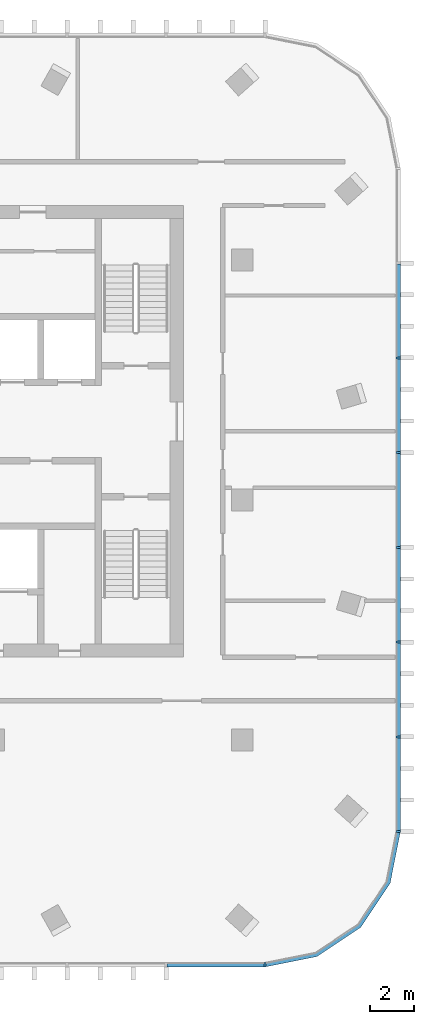
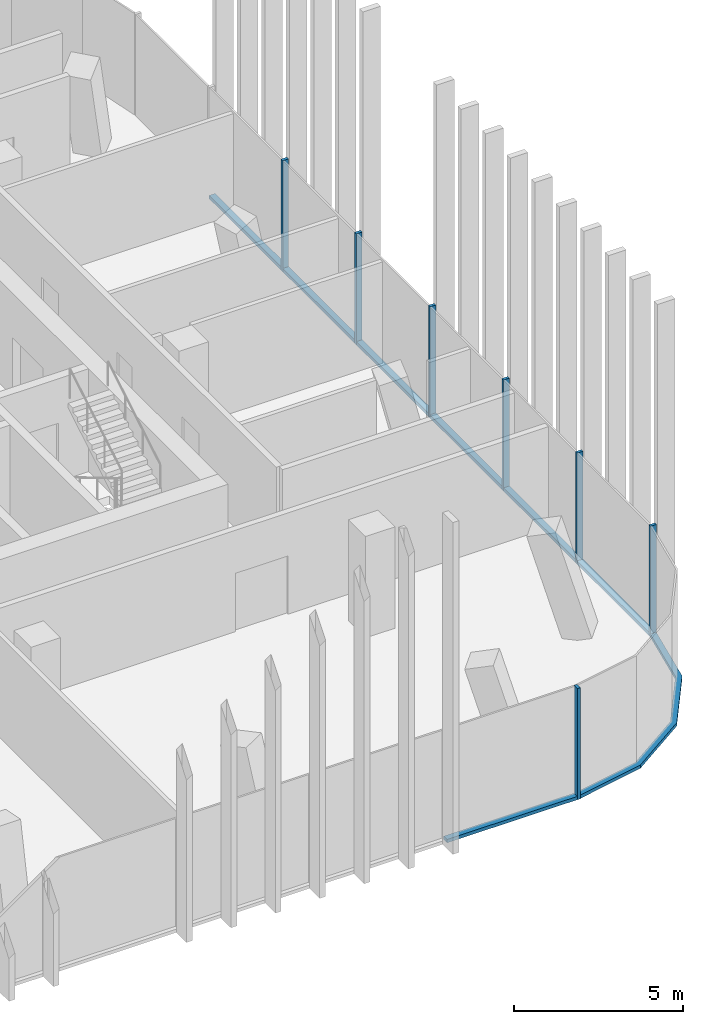
# One storey, part 3 of 13: 15 members, 3 elements without a shape of their own.
"""IFC4 building model written with IfcOpenShell, lengths in metres."""

from ifc_helpers import new_model, si_unit, direction, frame, origin, origin_2d, place, context, subcontext, project, spatial, polyline, rectangle, outline, extrude, material, material_profile, profile_set, type_object, element, aggregate, save


model = new_model("IFC4")

# Units and contexts
model_context = context("Model", 3, precision=1e-05, world=origin(), true_north=direction((0.0, 1.0)))
body_context = subcontext(model_context, "Body", "Model", "MODEL_VIEW")
ifc_project = project(units=[si_unit("LENGTHUNIT", "METRE"), si_unit("AREAUNIT", "SQUARE_METRE"), si_unit("VOLUMEUNIT", "CUBIC_METRE"), si_unit("PLANEANGLEUNIT", "RADIAN"), si_unit("MASSUNIT", "GRAM", prefix="KILO")], contexts=[model_context])

# Site, building, storey
site_placement = place(None, origin())
site = spatial("IfcSite", under=ifc_project, at=site_placement, CompositionType="ELEMENT")
building_placement = place(site_placement, origin())
building = spatial("IfcBuilding", under=site, at=building_placement, Name="Mopane Tessera Tower", CompositionType="ELEMENT")
storey_placement = place(building_placement, frame((0.0, 0.0, 345.39990234375)))
storey = spatial("IfcBuildingStorey", under=building, at=storey_placement, Name="L75", CompositionType="ELEMENT", Elevation=345.39990234375)

# Curtain wall, member
ifc_material_1 = material(Name="Aluminium frame", Category="aluminium")
curtain_wall_type = type_object("IfcCurtainWallType", Name="Unitised curtain wall", PredefinedType="NOTDEFINED", material=ifc_material_1)
curtain_wall_1_placement = place(storey_placement, origin())
curtain_wall_1 = element("IfcCurtainWall", 1, at=curtain_wall_1_placement, inside=storey, type_object=curtain_wall_type, Name="e:cw:L75:S:0", PredefinedType="NOTDEFINED")
ifc_material_2 = material(Name="Aluminium frame", Category="aluminium")
ifc_material_profile_1 = material_profile(ifc_material_2, rectangle(XDim=0.10009765625, YDim=0.199951171875, at=origin_2d()))
ifc_profile_set_1 = profile_set([ifc_material_profile_1], Name="Aluminium frame")
member_type_1 = type_object("IfcMemberType", Name="Aluminium mullion 100 x 200", PredefinedType="MULLION", material=ifc_profile_set_1)
member_1_placement = place(storey_placement, frame((18.14990234375, -21.300048828125, -0.349853515625), z_axis=(0.0, 0.0, 1.0), x_axis=(1.0, 0.0, 0.0)))
member_1 = element("IfcMember", 2, at=member_1_placement, type_object=member_type_1, Name="e:cw:L75:S:0:mu8", PredefinedType="MULLION", context=body_context, shape_type="SweptSolid", body=[
    extrude(rectangle(XDim=0.10009765625, YDim=0.199951171875, at=origin_2d()), origin(), (0.0, 0.0, 1.0), 4.0),
])

# Curtain wall, members
curtain_wall_2_placement = place(storey_placement, origin())
curtain_wall_2 = element("IfcCurtainWall", 3, at=curtain_wall_2_placement, inside=storey, type_object=curtain_wall_type, Name="e:cw:L75:E:0", PredefinedType="NOTDEFINED")
member_2_placement = place(storey_placement, frame((24.25, -15.199951171875, -0.349853515625), z_axis=(0.0, 0.0, 1.0), x_axis=(0.0, 1.0, 0.0)))
member_2 = element("IfcMember", 4, at=member_2_placement, type_object=member_type_1, Name="e:cw:L75:E:0:mu0", PredefinedType="MULLION", context=body_context, shape_type="SweptSolid", body=[
    extrude(rectangle(XDim=0.10009765625, YDim=0.199951171875, at=origin_2d()), origin(), (0.0, 0.0, 1.0), 4.0),
])
member_3_placement = place(storey_placement, frame((24.25, -10.857177734375, -0.349853515625), z_axis=(0.0, 0.0, 1.0), x_axis=(0.0, 1.0, 0.0)))
member_3 = element("IfcMember", 5, at=member_3_placement, type_object=member_type_1, Name="e:cw:L75:E:0:mu1", PredefinedType="MULLION", context=body_context, shape_type="SweptSolid", body=[
    extrude(rectangle(XDim=0.10009765625, YDim=0.199951171875, at=origin_2d()), origin(), (0.0, 0.0, 1.0), 4.0),
])
member_4_placement = place(storey_placement, frame((24.25, -6.514404296875, -0.349853515625), z_axis=(0.0, 0.0, 1.0), x_axis=(0.0, 1.0, 0.0)))
member_4 = element("IfcMember", 6, at=member_4_placement, type_object=member_type_1, Name="e:cw:L75:E:0:mu2", PredefinedType="MULLION", context=body_context, shape_type="SweptSolid", body=[
    extrude(rectangle(XDim=0.10009765625, YDim=0.199951171875, at=origin_2d()), origin(), (0.0, 0.0, 1.0), 4.0),
])
member_5_placement = place(storey_placement, frame((24.25, -2.17138671875, -0.349853515625), z_axis=(0.0, 0.0, 1.0), x_axis=(0.0, 1.0, 0.0)))
member_5 = element("IfcMember", 7, at=member_5_placement, type_object=member_type_1, Name="e:cw:L75:E:0:mu3", PredefinedType="MULLION", context=body_context, shape_type="SweptSolid", body=[
    extrude(rectangle(XDim=0.10009765625, YDim=0.199951171875, at=origin_2d()), origin(), (0.0, 0.0, 1.0), 4.0),
])
member_6_placement = place(storey_placement, frame((24.25, 2.17138671875, -0.349853515625), z_axis=(0.0, 0.0, 1.0), x_axis=(0.0, 1.0, 0.0)))
member_6 = element("IfcMember", 8, at=member_6_placement, type_object=member_type_1, Name="e:cw:L75:E:0:mu4", PredefinedType="MULLION", context=body_context, shape_type="SweptSolid", body=[
    extrude(rectangle(XDim=0.10009765625, YDim=0.199951171875, at=origin_2d()), origin(), (0.0, 0.0, 1.0), 4.0),
])
member_7_placement = place(storey_placement, frame((24.25, 6.514404296875, -0.349853515625), z_axis=(0.0, 0.0, 1.0), x_axis=(0.0, 1.0, 0.0)))
member_7 = element("IfcMember", 9, at=member_7_placement, type_object=member_type_1, Name="e:cw:L75:E:0:mu5", PredefinedType="MULLION", context=body_context, shape_type="SweptSolid", body=[
    extrude(rectangle(XDim=0.10009765625, YDim=0.199951171875, at=origin_2d()), origin(), (0.0, 0.0, 1.0), 4.0),
])

# Member
ifc_material_3 = material(Name="Aluminium frame", Category="aluminium")
ifc_material_profile_2 = material_profile(ifc_material_3, rectangle(XDim=0.199951171875, YDim=0.1201171875, at=origin_2d()))
ifc_profile_set_2 = profile_set([ifc_material_profile_2], Name="Aluminium frame")
member_type_2 = type_object("IfcMemberType", Name="Aluminium transom 200 x 120", PredefinedType="USERDEFINED", material=ifc_profile_set_2)
member_8_placement = place(storey_placement, frame((13.66259765625, -21.300048828125, -0.289794921875), z_axis=(1.0, 0.0, 0.0), x_axis=(0.0, 1.0, 0.0)))
member_8 = element("IfcMember", 10, at=member_8_placement, type_object=member_type_2, Name="e:cw:L75:S:0:tr7", ObjectType="TRANSOM", PredefinedType="USERDEFINED", context=body_context, shape_type="SweptSolid", body=[
    extrude(rectangle(XDim=0.199951171875, YDim=0.1201171875, at=origin_2d()), origin(), (0.0, 0.0, 1.0), 4.4375),
])

aggregate(curtain_wall_1, [member_1, member_8])

# Curtain wall, member
curtain_wall_3_placement = place(storey_placement, origin())
curtain_wall_3 = element("IfcCurtainWall", 11, at=curtain_wall_3_placement, inside=storey, type_object=curtain_wall_type, Name="e:cw:L75:CS", PredefinedType="NOTDEFINED")
member_9_placement = place(storey_placement, frame((0.0, 0.0, -0.349853515625)))
member_9 = element("IfcMember", 12, at=member_9_placement, type_object=member_type_2, Name="e:cw:L75:CS:tr", ObjectType="TRANSOM", PredefinedType="USERDEFINED", context=body_context, shape_type="SweptSolid", body=[
    extrude(outline(polyline([(18.14990234375, -21.199951171875), (20.446044921875, -20.7431640625), (22.392578125, -19.442626953125), (23.693359375, -17.49609375), (24.14990234375, -15.199951171875), (24.35009765625, -15.199951171875), (23.878173828125, -17.57275390625), (22.5341796875, -19.583984375), (20.522705078125, -20.927978515625), (18.14990234375, -21.39990234375), (18.14990234375, -21.199951171875)])), origin(), (0.0, 0.0, 1.0), 0.119873046875),
])
aggregate(curtain_wall_3, [member_9])

# Member
member_10_placement = place(storey_placement, frame((24.25, -15.14990234375, -0.289794921875), z_axis=(0.0, 1.0, 0.0), x_axis=(-1.0, 0.0, 0.0)))
member_10 = element("IfcMember", 13, at=member_10_placement, type_object=member_type_2, Name="e:cw:L75:E:0:tr0", ObjectType="TRANSOM", PredefinedType="USERDEFINED", context=body_context, shape_type="SweptSolid", body=[
    extrude(rectangle(XDim=0.199951171875, YDim=0.1201171875, at=origin_2d()), origin(), (0.0, 0.0, 1.0), 4.24267578125),
])

member_11_placement = place(storey_placement, frame((24.25, -10.80712890625, -0.289794921875), z_axis=(0.0, 1.0, 0.0), x_axis=(-1.0, 0.0, 0.0)))
member_11 = element("IfcMember", 14, at=member_11_placement, type_object=member_type_2, Name="e:cw:L75:E:0:tr1", ObjectType="TRANSOM", PredefinedType="USERDEFINED", context=body_context, shape_type="SweptSolid", body=[
    extrude(rectangle(XDim=0.199951171875, YDim=0.1201171875, at=origin_2d()), origin(), (0.0, 0.0, 1.0), 4.242919921875),
])

member_12_placement = place(storey_placement, frame((24.25, -6.46435546875, -0.289794921875), z_axis=(0.0, 1.0, 0.0), x_axis=(-1.0, 0.0, 0.0)))
member_12 = element("IfcMember", 15, at=member_12_placement, type_object=member_type_2, Name="e:cw:L75:E:0:tr2", ObjectType="TRANSOM", PredefinedType="USERDEFINED", context=body_context, shape_type="SweptSolid", body=[
    extrude(rectangle(XDim=0.199951171875, YDim=0.1201171875, at=origin_2d()), origin(), (0.0, 0.0, 1.0), 4.242919921875),
])

member_13_placement = place(storey_placement, frame((24.25, -2.121337890625, -0.289794921875), z_axis=(0.0, 1.0, 0.0), x_axis=(-1.0, 0.0, 0.0)))
member_13 = element("IfcMember", 16, at=member_13_placement, type_object=member_type_2, Name="e:cw:L75:E:0:tr3", ObjectType="TRANSOM", PredefinedType="USERDEFINED", context=body_context, shape_type="SweptSolid", body=[
    extrude(rectangle(XDim=0.199951171875, YDim=0.1201171875, at=origin_2d()), origin(), (0.0, 0.0, 1.0), 4.24267578125),
])

member_14_placement = place(storey_placement, frame((24.25, 2.221435546875, -0.289794921875), z_axis=(0.0, 1.0, 0.0), x_axis=(-1.0, 0.0, 0.0)))
member_14 = element("IfcMember", 17, at=member_14_placement, type_object=member_type_2, Name="e:cw:L75:E:0:tr4", ObjectType="TRANSOM", PredefinedType="USERDEFINED", context=body_context, shape_type="SweptSolid", body=[
    extrude(rectangle(XDim=0.199951171875, YDim=0.1201171875, at=origin_2d()), origin(), (0.0, 0.0, 1.0), 4.242919921875),
])

member_15_placement = place(storey_placement, frame((24.25, 6.564208984375, -0.289794921875), z_axis=(0.0, 1.0, 0.0), x_axis=(-1.0, 0.0, 0.0)))
member_15 = element("IfcMember", 18, at=member_15_placement, type_object=member_type_2, Name="e:cw:L75:E:0:tr5", ObjectType="TRANSOM", PredefinedType="USERDEFINED", context=body_context, shape_type="SweptSolid", body=[
    extrude(rectangle(XDim=0.199951171875, YDim=0.1201171875, at=origin_2d()), origin(), (0.0, 0.0, 1.0), 4.242919921875),
])

aggregate(curtain_wall_2, [member_2, member_3, member_4, member_5, member_6, member_7, member_10, member_11, member_12, member_13, member_14, member_15])

save(model, "model.ifc")
